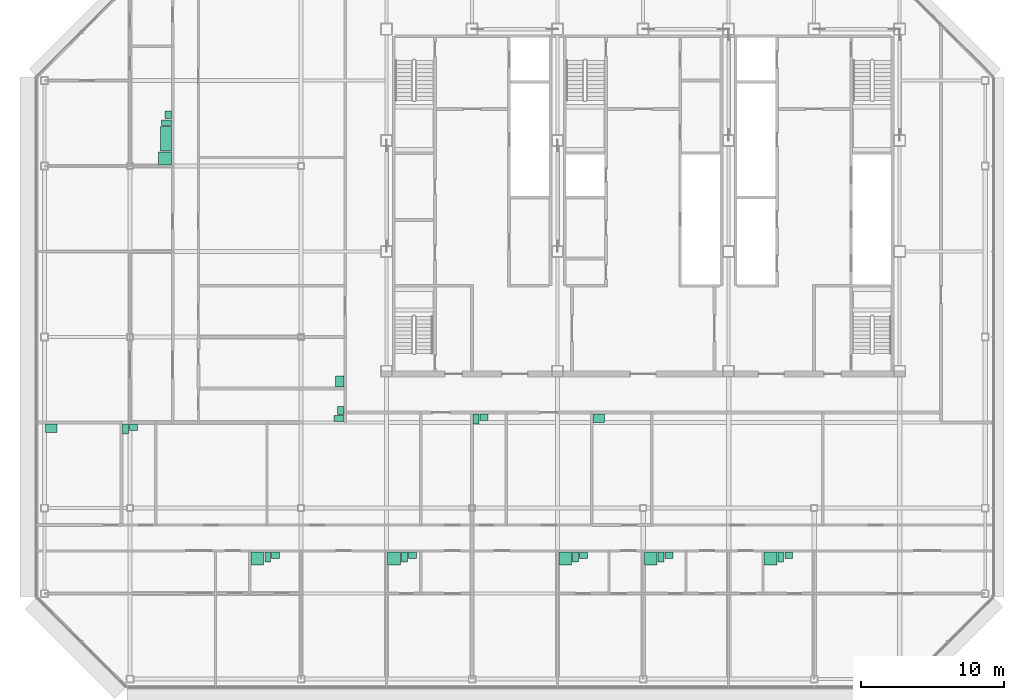
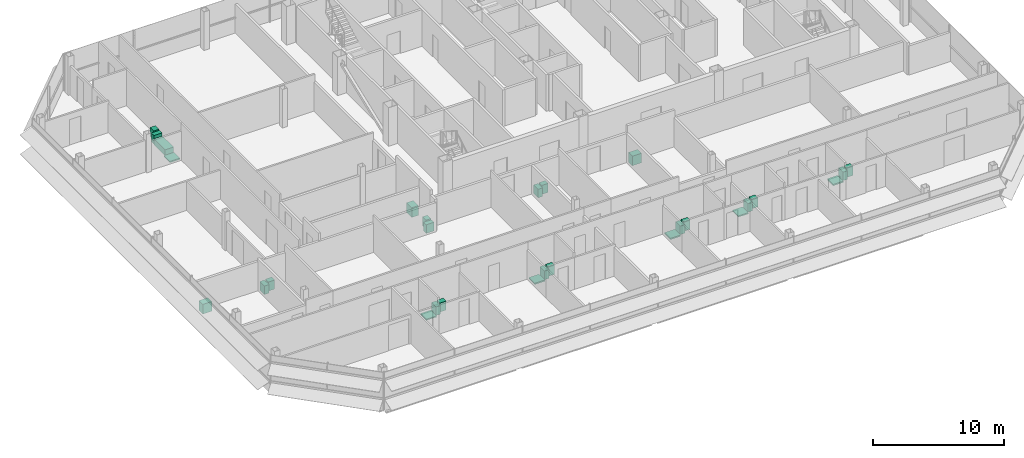
# One storey, part 28 of 28: 28 sanitary terminals.
"""IFC4 building model written with IfcOpenShell, lengths in metres."""

from ifc_helpers import new_model, si_unit, direction, frame, origin, origin_2d, place, context, subcontext, project, spatial, rectangle, extrude, element, save


model = new_model("IFC4")

# Units and contexts
model_context = context("Model", 3, precision=1e-05, world=origin(), true_north=direction((0.0, 1.0)))
body_context = subcontext(model_context, "Body", "Model", "MODEL_VIEW")
ifc_project = project(units=[si_unit("LENGTHUNIT", "METRE"), si_unit("AREAUNIT", "SQUARE_METRE"), si_unit("VOLUMEUNIT", "CUBIC_METRE"), si_unit("PLANEANGLEUNIT", "RADIAN"), si_unit("MASSUNIT", "GRAM", prefix="KILO")], contexts=[model_context])

# Site, building, storey
site_placement = place(None, origin())
site = spatial("IfcSite", under=ifc_project, at=site_placement, CompositionType="ELEMENT")
building_placement = place(site_placement, origin())
building = spatial("IfcBuilding", under=site, at=building_placement, Name="Sorahane Residences", CompositionType="ELEMENT")
storey_placement = place(building_placement, frame((0.0, 0.0, 305.199951171875)))
storey = spatial("IfcBuildingStorey", under=building, at=storey_placement, Name="L72", CompositionType="ELEMENT", Elevation=305.199951171875)

# Sanitary terminals
sanitary_terminal_1_placement = place(storey_placement, frame((-3.070068359375, 8.449951171875, 0.0), z_axis=(0.0, 0.0, 1.0), x_axis=(1.0, 0.0, 0.0)))
element("IfcSanitaryTerminal", 1, at=sanitary_terminal_1_placement, inside=storey, Name="Shower tray En-suite bathroom 72A", PredefinedType="SHOWER", context=body_context, shape_type="SweptSolid", body=[
    extrude(rectangle(XDim=0.89990234375, YDim=0.89990234375, at=origin_2d()), origin(), (0.0, 0.0, 1.0), 0.1201171875),
])
sanitary_terminal_2_placement = place(storey_placement, frame((-2.340087890625, 8.550048828125, 0.0), z_axis=(0.0, 0.0, 1.0), x_axis=(1.0, 0.0, 0.0)))
element("IfcSanitaryTerminal", 2, at=sanitary_terminal_2_placement, inside=storey, Name="WC pan En-suite bathroom 72A", PredefinedType="TOILETPAN", context=body_context, shape_type="SweptSolid", body=[
    extrude(rectangle(XDim=0.39990234375, YDim=0.699951171875, at=origin_2d()), origin(), (0.0, 0.0, 1.0), 0.800048828125),
])
sanitary_terminal_3_placement = place(storey_placement, frame((-1.784912109375, 8.675048828125, 0.0), z_axis=(0.0, 0.0, 1.0), x_axis=(1.0, 0.0, 0.0)))
element("IfcSanitaryTerminal", 3, at=sanitary_terminal_3_placement, inside=storey, Name="Wash basin En-suite bathroom 72A", PredefinedType="WASHHANDBASIN", context=body_context, shape_type="SweptSolid", body=[
    extrude(rectangle(XDim=0.550048828125, YDim=0.449951171875, at=origin_2d()), origin(), (0.0, 0.0, 1.0), 0.85009765625),
])
sanitary_terminal_4_placement = place(storey_placement, frame((6.530029296875, 8.449951171875, 0.0), z_axis=(0.0, 0.0, 1.0), x_axis=(1.0, 0.0, 0.0)))
element("IfcSanitaryTerminal", 4, at=sanitary_terminal_4_placement, inside=storey, Name="Shower tray En-suite bathroom 72A-2", PredefinedType="SHOWER", context=body_context, shape_type="SweptSolid", body=[
    extrude(rectangle(XDim=0.89990234375, YDim=0.89990234375, at=origin_2d()), origin(), (0.0, 0.0, 1.0), 0.1201171875),
])
sanitary_terminal_5_placement = place(storey_placement, frame((7.260009765625, 8.550048828125, 0.0), z_axis=(0.0, 0.0, 1.0), x_axis=(1.0, 0.0, 0.0)))
element("IfcSanitaryTerminal", 5, at=sanitary_terminal_5_placement, inside=storey, Name="WC pan En-suite bathroom 72A-2", PredefinedType="TOILETPAN", context=body_context, shape_type="SweptSolid", body=[
    extrude(rectangle(XDim=0.39990234375, YDim=0.699951171875, at=origin_2d()), origin(), (0.0, 0.0, 1.0), 0.800048828125),
])
sanitary_terminal_6_placement = place(storey_placement, frame((7.81494140625, 8.675048828125, 0.0), z_axis=(0.0, 0.0, 1.0), x_axis=(1.0, 0.0, 0.0)))
element("IfcSanitaryTerminal", 6, at=sanitary_terminal_6_placement, inside=storey, Name="Wash basin En-suite bathroom 72A-2", PredefinedType="WASHHANDBASIN", context=body_context, shape_type="SweptSolid", body=[
    extrude(rectangle(XDim=0.550048828125, YDim=0.449951171875, at=origin_2d()), origin(), (0.0, 0.0, 1.0), 0.85009765625),
])
sanitary_terminal_7_placement = place(storey_placement, frame((-17.52001953125, 17.60009765625, 0.0), z_axis=(0.0, 0.0, 1.0), x_axis=(1.0, 0.0, 0.0)))
element("IfcSanitaryTerminal", 7, at=sanitary_terminal_7_placement, inside=storey, Name="Kitchen sink Kitchen 72A", PredefinedType="SINK", context=body_context, shape_type="SweptSolid", body=[
    extrude(rectangle(XDim=0.800048828125, YDim=0.60009765625, at=origin_2d()), origin(), (0.0, 0.0, 1.0), 0.89990234375),
])
sanitary_terminal_8_placement = place(storey_placement, frame((-12.320068359375, 17.550048828125, 0.0), z_axis=(0.0, 0.0, 1.0), x_axis=(1.0, 0.0, 0.0)))
element("IfcSanitaryTerminal", 8, at=sanitary_terminal_8_placement, inside=storey, Name="WC pan Powder room 72A", PredefinedType="TOILETPAN", context=body_context, shape_type="SweptSolid", body=[
    extrude(rectangle(XDim=0.39990234375, YDim=0.699951171875, at=origin_2d()), origin(), (0.0, 0.0, 1.0), 0.800048828125),
])
sanitary_terminal_9_placement = place(storey_placement, frame((-11.764892578125, 17.675048828125, 0.0), z_axis=(0.0, 0.0, 1.0), x_axis=(1.0, 0.0, 0.0)))
element("IfcSanitaryTerminal", 9, at=sanitary_terminal_9_placement, inside=storey, Name="Wash basin Powder room 72A", PredefinedType="WASHHANDBASIN", context=body_context, shape_type="SweptSolid", body=[
    extrude(rectangle(XDim=0.550048828125, YDim=0.449951171875, at=origin_2d()), origin(), (0.0, 0.0, 1.0), 0.85009765625),
])
sanitary_terminal_10_placement = place(storey_placement, frame((18.530029296875, 8.449951171875, 0.0), z_axis=(0.0, 0.0, 1.0), x_axis=(1.0, 0.0, 0.0)))
element("IfcSanitaryTerminal", 10, at=sanitary_terminal_10_placement, inside=storey, Name="Shower tray En-suite bathroom 72B", PredefinedType="SHOWER", context=body_context, shape_type="SweptSolid", body=[
    extrude(rectangle(XDim=0.89990234375, YDim=0.89990234375, at=origin_2d()), origin(), (0.0, 0.0, 1.0), 0.1201171875),
])
sanitary_terminal_11_placement = place(storey_placement, frame((19.260009765625, 8.550048828125, 0.0), z_axis=(0.0, 0.0, 1.0), x_axis=(1.0, 0.0, 0.0)))
element("IfcSanitaryTerminal", 11, at=sanitary_terminal_11_placement, inside=storey, Name="WC pan En-suite bathroom 72B", PredefinedType="TOILETPAN", context=body_context, shape_type="SweptSolid", body=[
    extrude(rectangle(XDim=0.39990234375, YDim=0.699951171875, at=origin_2d()), origin(), (0.0, 0.0, 1.0), 0.800048828125),
])
sanitary_terminal_12_placement = place(storey_placement, frame((19.81494140625, 8.675048828125, 0.0), z_axis=(0.0, 0.0, 1.0), x_axis=(1.0, 0.0, 0.0)))
element("IfcSanitaryTerminal", 12, at=sanitary_terminal_12_placement, inside=storey, Name="Wash basin En-suite bathroom 72B", PredefinedType="WASHHANDBASIN", context=body_context, shape_type="SweptSolid", body=[
    extrude(rectangle(XDim=0.550048828125, YDim=0.449951171875, at=origin_2d()), origin(), (0.0, 0.0, 1.0), 0.85009765625),
])
sanitary_terminal_13_placement = place(storey_placement, frame((24.530029296875, 8.449951171875, 0.0), z_axis=(0.0, 0.0, 1.0), x_axis=(1.0, 0.0, 0.0)))
element("IfcSanitaryTerminal", 13, at=sanitary_terminal_13_placement, inside=storey, Name="Shower tray En-suite bathroom 72B-2", PredefinedType="SHOWER", context=body_context, shape_type="SweptSolid", body=[
    extrude(rectangle(XDim=0.89990234375, YDim=0.89990234375, at=origin_2d()), origin(), (0.0, 0.0, 1.0), 0.1201171875),
])
sanitary_terminal_14_placement = place(storey_placement, frame((25.260009765625, 8.550048828125, 0.0), z_axis=(0.0, 0.0, 1.0), x_axis=(1.0, 0.0, 0.0)))
element("IfcSanitaryTerminal", 14, at=sanitary_terminal_14_placement, inside=storey, Name="WC pan En-suite bathroom 72B-2", PredefinedType="TOILETPAN", context=body_context, shape_type="SweptSolid", body=[
    extrude(rectangle(XDim=0.39990234375, YDim=0.699951171875, at=origin_2d()), origin(), (0.0, 0.0, 1.0), 0.800048828125),
])
sanitary_terminal_15_placement = place(storey_placement, frame((25.81494140625, 8.675048828125, 0.0), z_axis=(0.0, 0.0, 1.0), x_axis=(1.0, 0.0, 0.0)))
element("IfcSanitaryTerminal", 15, at=sanitary_terminal_15_placement, inside=storey, Name="Wash basin En-suite bathroom 72B-2", PredefinedType="WASHHANDBASIN", context=body_context, shape_type="SweptSolid", body=[
    extrude(rectangle(XDim=0.550048828125, YDim=0.449951171875, at=origin_2d()), origin(), (0.0, 0.0, 1.0), 0.85009765625),
])
sanitary_terminal_16_placement = place(storey_placement, frame((32.929931640625, 8.449951171875, 0.0), z_axis=(0.0, 0.0, 1.0), x_axis=(1.0, 0.0, 0.0)))
element("IfcSanitaryTerminal", 16, at=sanitary_terminal_16_placement, inside=storey, Name="Shower tray En-suite bathroom 72B-3", PredefinedType="SHOWER", context=body_context, shape_type="SweptSolid", body=[
    extrude(rectangle(XDim=0.89990234375, YDim=0.89990234375, at=origin_2d()), origin(), (0.0, 0.0, 1.0), 0.1201171875),
])
sanitary_terminal_17_placement = place(storey_placement, frame((33.659912109375, 8.550048828125, 0.0), z_axis=(0.0, 0.0, 1.0), x_axis=(1.0, 0.0, 0.0)))
element("IfcSanitaryTerminal", 17, at=sanitary_terminal_17_placement, inside=storey, Name="WC pan En-suite bathroom 72B-3", PredefinedType="TOILETPAN", context=body_context, shape_type="SweptSolid", body=[
    extrude(rectangle(XDim=0.39990234375, YDim=0.699951171875, at=origin_2d()), origin(), (0.0, 0.0, 1.0), 0.800048828125),
])
sanitary_terminal_18_placement = place(storey_placement, frame((34.215087890625, 8.675048828125, 0.0), z_axis=(0.0, 0.0, 1.0), x_axis=(1.0, 0.0, 0.0)))
element("IfcSanitaryTerminal", 18, at=sanitary_terminal_18_placement, inside=storey, Name="Wash basin En-suite bathroom 72B-3", PredefinedType="WASHHANDBASIN", context=body_context, shape_type="SweptSolid", body=[
    extrude(rectangle(XDim=0.550048828125, YDim=0.449951171875, at=origin_2d()), origin(), (0.0, 0.0, 1.0), 0.85009765625),
])
sanitary_terminal_19_placement = place(storey_placement, frame((12.280029296875, 18.25, 0.0), z_axis=(0.0, 0.0, 1.0), x_axis=(1.0, 0.0, 0.0)))
element("IfcSanitaryTerminal", 19, at=sanitary_terminal_19_placement, inside=storey, Name="WC pan Powder room 72B", PredefinedType="TOILETPAN", context=body_context, shape_type="SweptSolid", body=[
    extrude(rectangle(XDim=0.39990234375, YDim=0.699951171875, at=origin_2d()), origin(), (0.0, 0.0, 1.0), 0.800048828125),
])
sanitary_terminal_20_placement = place(storey_placement, frame((12.8349609375, 18.375, 0.0), z_axis=(0.0, 0.0, 1.0), x_axis=(1.0, 0.0, 0.0)))
element("IfcSanitaryTerminal", 20, at=sanitary_terminal_20_placement, inside=storey, Name="Wash basin Powder room 72B", PredefinedType="WASHHANDBASIN", context=body_context, shape_type="SweptSolid", body=[
    extrude(rectangle(XDim=0.550048828125, YDim=0.449951171875, at=origin_2d()), origin(), (0.0, 0.0, 1.0), 0.85009765625),
])
sanitary_terminal_21_placement = place(storey_placement, frame((20.8798828125, 18.300048828125, 0.0), z_axis=(0.0, 0.0, 1.0), x_axis=(1.0, 0.0, 0.0)))
element("IfcSanitaryTerminal", 21, at=sanitary_terminal_21_placement, inside=storey, Name="Kitchen sink Kitchen 72B", PredefinedType="SINK", context=body_context, shape_type="SweptSolid", body=[
    extrude(rectangle(XDim=0.800048828125, YDim=0.60009765625, at=origin_2d()), origin(), (0.0, 0.0, 1.0), 0.89990234375),
])
sanitary_terminal_22_placement = place(storey_placement, frame((-9.550048828125, 36.530029296875, 0.0), z_axis=(0.0, 0.0, 1.0), x_axis=(0.0, -1.0, 0.0)))
element("IfcSanitaryTerminal", 22, at=sanitary_terminal_22_placement, inside=storey, Name="Shower tray En-suite bathroom 72C", PredefinedType="SHOWER", context=body_context, shape_type="SweptSolid", body=[
    extrude(rectangle(XDim=0.89990234375, YDim=0.89990234375, at=origin_2d()), origin(), (0.0, 0.0, 1.0), 0.1201171875),
])
sanitary_terminal_23_placement = place(storey_placement, frame((-9.47509765625, 37.909912109375, 0.0), z_axis=(0.0, 0.0, 1.0), x_axis=(0.0, -1.0, 0.0)))
element("IfcSanitaryTerminal", 23, at=sanitary_terminal_23_placement, inside=storey, Name="Bath En-suite bathroom 72C", PredefinedType="BATH", context=body_context, shape_type="SweptSolid", body=[
    extrude(rectangle(XDim=1.699951171875, YDim=0.75, at=origin_2d()), origin(), (0.0, 0.0, 1.0), 0.56005859375),
])
sanitary_terminal_24_placement = place(storey_placement, frame((-9.449951171875, 39.0400390625, 0.0), z_axis=(0.0, 0.0, 1.0), x_axis=(0.0, -1.0, 0.0)))
element("IfcSanitaryTerminal", 24, at=sanitary_terminal_24_placement, inside=storey, Name="WC pan En-suite bathroom 72C", PredefinedType="TOILETPAN", context=body_context, shape_type="SweptSolid", body=[
    extrude(rectangle(XDim=0.39990234375, YDim=0.699951171875, at=origin_2d()), origin(), (0.0, 0.0, 1.0), 0.800048828125),
])
sanitary_terminal_25_placement = place(storey_placement, frame((-9.324951171875, 39.594970703125, 0.0), z_axis=(0.0, 0.0, 1.0), x_axis=(0.0, -1.0, 0.0)))
element("IfcSanitaryTerminal", 25, at=sanitary_terminal_25_placement, inside=storey, Name="Wash basin En-suite bathroom 72C", PredefinedType="WASHHANDBASIN", context=body_context, shape_type="SweptSolid", body=[
    extrude(rectangle(XDim=0.550048828125, YDim=0.449951171875, at=origin_2d()), origin(), (0.0, 0.0, 1.0), 0.85009765625),
])
sanitary_terminal_26_placement = place(storey_placement, frame((2.64990234375, 18.280029296875, 0.0), z_axis=(0.0, 0.0, 1.0), x_axis=(0.0, -1.0, 0.0)))
element("IfcSanitaryTerminal", 26, at=sanitary_terminal_26_placement, inside=storey, Name="WC pan Guest WC 72C", PredefinedType="TOILETPAN", context=body_context, shape_type="SweptSolid", body=[
    extrude(rectangle(XDim=0.39990234375, YDim=0.699951171875, at=origin_2d()), origin(), (0.0, 0.0, 1.0), 0.800048828125),
])
sanitary_terminal_27_placement = place(storey_placement, frame((2.77490234375, 18.8349609375, 0.0), z_axis=(0.0, 0.0, 1.0), x_axis=(0.0, -1.0, 0.0)))
element("IfcSanitaryTerminal", 27, at=sanitary_terminal_27_placement, inside=storey, Name="Wash basin Guest WC 72C", PredefinedType="WASHHANDBASIN", context=body_context, shape_type="SweptSolid", body=[
    extrude(rectangle(XDim=0.550048828125, YDim=0.449951171875, at=origin_2d()), origin(), (0.0, 0.0, 1.0), 0.85009765625),
])
sanitary_terminal_28_placement = place(storey_placement, frame((2.699951171875, 20.8798828125, 0.0), z_axis=(0.0, 0.0, 1.0), x_axis=(0.0, -1.0, 0.0)))
element("IfcSanitaryTerminal", 28, at=sanitary_terminal_28_placement, inside=storey, Name="Kitchen sink Kitchen 72C", PredefinedType="SINK", context=body_context, shape_type="SweptSolid", body=[
    extrude(rectangle(XDim=0.800048828125, YDim=0.60009765625, at=origin_2d()), origin(), (0.0, 0.0, 1.0), 0.89990234375),
])

save(model, "model.ifc")
